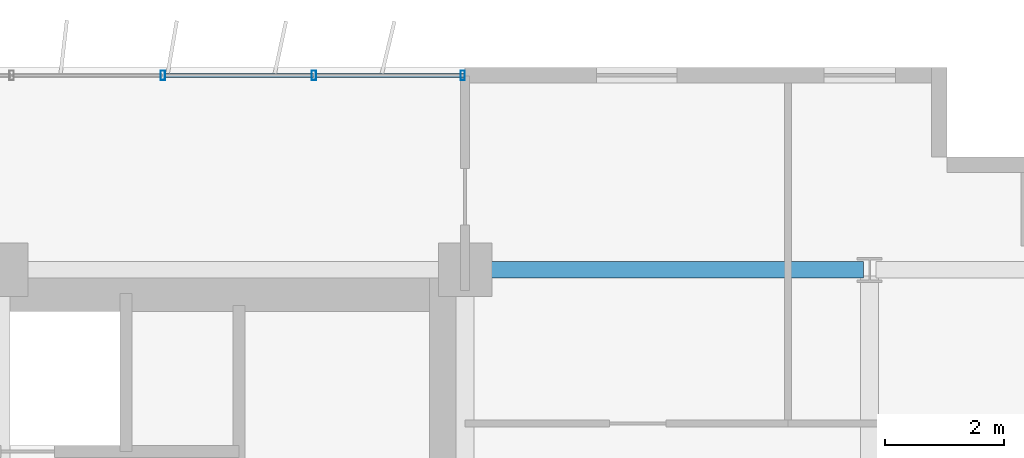
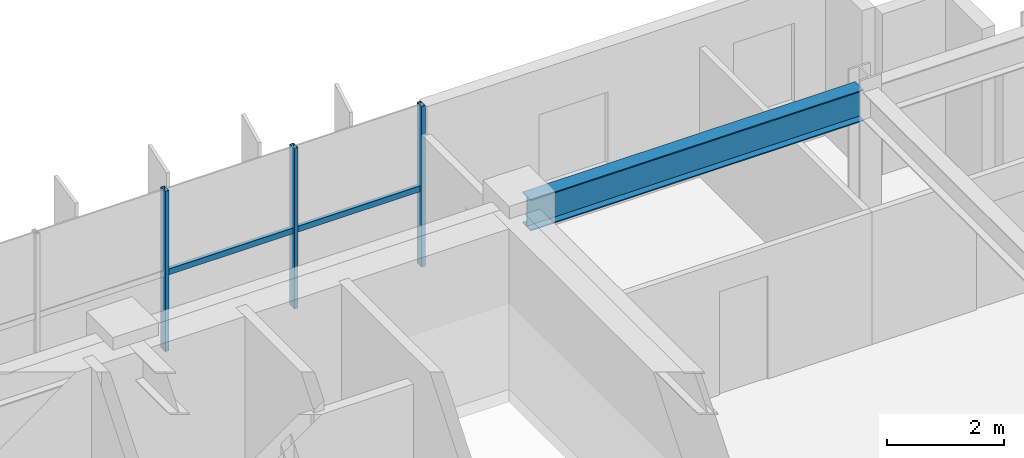
# One storey, part 12 of 22: 5 members, 1 beam, 1 element without a shape of its own.
"""IFC4 building model written with IfcOpenShell, lengths in metres."""

import ifcopenshell
import ifcopenshell.guid

model = None  # the IFC model being written
_history = None  # IfcOwnerHistory: only IFC2X3 demands one
_inside = {}  # id of a spatial element -> (the spatial element, [elements in it])
_under = {}  # id of a project, library or spatial element -> (it, [spatial elements below it])
_declared = {}  # id of a project -> (the project, [libraries it declares])
_typed = {}  # id of a type object -> (the type object, [elements of that type])
_made_of = {}  # id of a material, layer set ... -> (it, [elements and type objects made of it])


def new_model(schema):
    """Start an empty IFC model of exactly this schema.

    Asked for "IFC4X3", IfcOpenShell would pick the latest addendum, in which some entities
    have other attributes; the version numbers below select the first issue.
    IFC2X3 requires an IfcOwnerHistory on every rooted entity: one is made here for all.
    """
    global model, _history
    if schema == "IFC4X3":
        model = ifcopenshell.file(schema_version=(4, 3, 0, 0))
    else:
        model = ifcopenshell.file(schema=schema)
    _inside.clear()
    _under.clear()
    _declared.clear()
    _typed.clear()
    _made_of.clear()
    _history = None
    if model.schema == "IFC2X3":
        org = make("IfcOrganization", Name="unknown")
        user = make(
            "IfcPersonAndOrganization",
            ThePerson=make("IfcPerson", FamilyName="unknown"),
            TheOrganization=org,
        )
        app = make(
            "IfcApplication",
            ApplicationDeveloper=org,
            Version="unknown",
            ApplicationFullName="unknown",
            ApplicationIdentifier="unknown",
        )
        _history = make(
            "IfcOwnerHistory",
            OwningUser=user,
            OwningApplication=app,
            ChangeAction="ADDED",
            CreationDate=0,
        )
    return model


def make(cls, **values):
    """One entity of the class cls with the attributes given. An attribute that is None is left unset."""
    return model.create_entity(
        cls, **{name: value for name, value in values.items() if value is not None}
    )


def rooted(cls, **values):
    """An entity with a GlobalId (a new one), such as an element, a storey or a relation."""
    return make(cls, GlobalId=ifcopenshell.guid.new(), OwnerHistory=_history, **values)


def si_unit(unit_type, name, prefix=None):
    """IfcSIUnit, for example si_unit("LENGTHUNIT", "METRE", prefix="MILLI")."""
    return make("IfcSIUnit", UnitType=unit_type, Prefix=prefix, Name=name)


def assignment(units):
    """IfcUnitAssignment: the units of a project."""
    return None if units is None else make("IfcUnitAssignment", Units=units)


def point(xyz):
    """IfcCartesianPoint."""
    return None if xyz is None else make("IfcCartesianPoint", Coordinates=xyz)


def direction(xyz):
    """IfcDirection."""
    return None if xyz is None else make("IfcDirection", DirectionRatios=xyz)


def frame(location, z_axis=None, x_axis=None):
    """IfcAxis2Placement3D, a coordinate frame: its origin and axes. An axis left out is left unset."""
    return make(
        "IfcAxis2Placement3D",
        Location=point(location),
        Axis=direction(z_axis),
        RefDirection=direction(x_axis),
    )


def frame_2d(location, x_axis=None):
    """IfcAxis2Placement2D, a coordinate frame in the plane: its origin and x axis."""
    return make(
        "IfcAxis2Placement2D", Location=point(location), RefDirection=direction(x_axis)
    )


def origin():
    """The frame at (0, 0, 0) with its axes left unset."""
    return frame((0.0, 0.0, 0.0))


def origin_2d():
    """The frame at (0, 0) in the plane with its x axis left unset."""
    return frame_2d((0.0, 0.0))


def place(relative_to, where):
    """IfcLocalPlacement: puts the frame where relative to a parent placement (None: the world)."""
    return make(
        "IfcLocalPlacement", PlacementRelTo=relative_to, RelativePlacement=where
    )


def context(
    kind, dimensions, precision=None, world=None, true_north=None, identifier=None
):
    """IfcGeometricRepresentationContext, for example the 3D "Model" context."""
    return make(
        "IfcGeometricRepresentationContext",
        ContextIdentifier=identifier,
        ContextType=kind,
        CoordinateSpaceDimension=dimensions,
        Precision=precision,
        WorldCoordinateSystem=world,
        TrueNorth=true_north,
    )


def subcontext(parent, identifier, kind, view, scale=None):
    """IfcGeometricRepresentationSubContext, for example "Body" below "Model"."""
    return make(
        "IfcGeometricRepresentationSubContext",
        ContextIdentifier=identifier,
        ContextType=kind,
        ParentContext=parent,
        TargetScale=scale,
        TargetView=view,
    )


def project(units=None, contexts=None):
    """IfcProject with its units and contexts."""
    return rooted(
        "IfcProject",
        Name="project",
        RepresentationContexts=contexts,
        UnitsInContext=assignment(units),
    )


def spatial(cls, under=None, at=None, **own):
    """A site, building, storey or space (cls), placed at a placement, below another one or the project."""
    s = rooted(cls, ObjectPlacement=at, **own)
    if under is not None:
        _under.setdefault(under.id(), (under, []))[1].append(s)
    return s


def profile(cls, at=None, kind="AREA", **sizes):
    """A parametric profile (cls). Its sizes go by their IFC names, for example OverallWidth=200.0."""
    return make(cls, ProfileType=kind, Position=at, **sizes)


def hollow_rectangle(**sizes):
    """IfcRectangleHollowProfileDef."""
    return profile("IfcRectangleHollowProfileDef", **sizes)


def i_section(**sizes):
    """IfcIShapeProfileDef."""
    return profile("IfcIShapeProfileDef", **sizes)


def extrude(swept, where, along, depth):
    """IfcExtrudedAreaSolid: the profile swept, set in the frame where, extruded along a direction by depth."""
    return make(
        "IfcExtrudedAreaSolid",
        SweptArea=swept,
        Position=where,
        ExtrudedDirection=direction(along),
        Depth=depth,
    )


def shape(context_of_items, identifier, shape_type, items):
    """IfcShapeRepresentation: the items that make up one representation, for example the "Body"."""
    return make(
        "IfcShapeRepresentation",
        ContextOfItems=context_of_items,
        RepresentationIdentifier=identifier,
        RepresentationType=shape_type,
        Items=items,
    )


def source(mapping_origin, context_of_items, identifier, shape_type, items):
    """IfcRepresentationMap: a shape defined once, which mapped items show again and again."""
    return make(
        "IfcRepresentationMap",
        MappingOrigin=mapping_origin,
        MappedRepresentation=shape(context_of_items, identifier, shape_type, items),
    )


def transform(
    local_origin,
    x_axis=None,
    y_axis=None,
    z_axis=None,
    scale=None,
    scale2=None,
    scale3=None,
    uniform=True,
):
    """IfcCartesianTransformationOperator3D, or its non-uniform kind. x_axis, y_axis, z_axis: its Axis1, 2, 3."""
    if uniform:
        return make(
            "IfcCartesianTransformationOperator3D",
            Axis1=direction(x_axis),
            Axis2=direction(y_axis),
            LocalOrigin=point(local_origin),
            Scale=scale,
            Axis3=direction(z_axis),
        )
    return make(
        "IfcCartesianTransformationOperator3DnonUniform",
        Axis1=direction(x_axis),
        Axis2=direction(y_axis),
        LocalOrigin=point(local_origin),
        Scale=scale,
        Axis3=direction(z_axis),
        Scale2=scale2,
        Scale3=scale3,
    )


def mapped(mapping_source, mapping_target):
    """IfcMappedItem: shows the shape of a source again, moved by a transform."""
    return make(
        "IfcMappedItem", MappingSource=mapping_source, MappingTarget=mapping_target
    )


def material(Name=None, Category=None):
    """IfcMaterial."""
    return make("IfcMaterial", Name=Name, Category=Category)


def material_profile(
    of_material, cross_section, Name=None, Category=None, Priority=None
):
    """IfcMaterialProfile: a cross section and its material."""
    return make(
        "IfcMaterialProfile",
        Name=Name,
        Material=of_material,
        Profile=cross_section,
        Priority=Priority,
        Category=Category,
    )


def profile_set(profiles, Name=None, composite=None):
    """IfcMaterialProfileSet."""
    return make(
        "IfcMaterialProfileSet",
        Name=Name,
        MaterialProfiles=profiles,
        CompositeProfile=composite,
    )


def made_of(thing, what):
    """Note that an element or type object is made of a material, layer set ...; save() writes the relation."""
    if what is not None:
        _made_of.setdefault(what.id(), (what, []))[1].append(thing)
    return thing


def type_object(cls, material=None, **own):
    """A type object (cls), such as IfcWallType, which elements share."""
    return made_of(rooted(cls, **own), material)


def element(
    cls,
    number,
    at=None,
    inside=None,
    cuts=None,
    type_object=None,
    material=None,
    context=None,
    identifier="Body",
    shape_type=None,
    held_by="IfcProductDefinitionShape",
    body=None,
    shapes=None,
    **own,
):
    """One element of the class cls, such as IfcWall. Its Tag is "e" and its number.

    at: its placement. inside: the storey or other place that contains it. cuts: it is an
    opening in that element (IfcRelVoidsElement). A single representation is given by context,
    identifier, shape_type and body (its items); several are given by shapes. held_by: the class
    of the entity that holds the representations. save() writes the other relations.
    """
    e = rooted(cls, Tag="e%d" % number, ObjectPlacement=at, **own)
    if body is not None:
        shapes = [shape(context, identifier, shape_type, body)]
    if shapes is not None:
        e.Representation = make(held_by, Representations=shapes)
    if inside is not None:
        _inside.setdefault(inside.id(), (inside, []))[1].append(e)
    if cuts is not None:
        rooted(
            "IfcRelVoidsElement", RelatingBuildingElement=cuts, RelatedOpeningElement=e
        )
    if type_object is not None:
        _typed.setdefault(type_object.id(), (type_object, []))[1].append(e)
    return made_of(e, material)


def aggregate(whole, parts):
    """IfcRelAggregates: a whole, such as a stair, and the parts it consists of."""
    return rooted("IfcRelAggregates", RelatingObject=whole, RelatedObjects=parts)


def save(model, path):
    """Write the relations noted so far, then the file.

    IfcRelAggregates (storeys below a building ...), IfcRelContainedInSpatialStructure (elements
    in a storey), IfcRelDefinesByType, IfcRelAssociatesMaterial and IfcRelDeclares: one each for
    every whole, place, type object, material and project.
    """
    for whole, parts in _under.values():
        aggregate(whole, parts)
    for where, things in _inside.values():
        rooted(
            "IfcRelContainedInSpatialStructure",
            RelatedElements=things,
            RelatingStructure=where,
        )
    for kind, things in _typed.values():
        rooted("IfcRelDefinesByType", RelatedObjects=things, RelatingType=kind)
    for what, things in _made_of.values():
        rooted("IfcRelAssociatesMaterial", RelatedObjects=things, RelatingMaterial=what)
    for by, libraries in _declared.values():
        rooted("IfcRelDeclares", RelatingContext=by, RelatedDefinitions=libraries)
    model.write(path)


model = new_model("IFC4")

# Units and contexts
model_context = context("Model", 3, precision=1e-05, world=origin(), true_north=direction((0.0, 1.0)))
body_context = subcontext(model_context, "Body", "Model", "MODEL_VIEW")
ifc_project = project(units=[si_unit("LENGTHUNIT", "METRE"), si_unit("AREAUNIT", "SQUARE_METRE"), si_unit("VOLUMEUNIT", "CUBIC_METRE"), si_unit("PLANEANGLEUNIT", "RADIAN"), si_unit("MASSUNIT", "GRAM", prefix="KILO")], contexts=[model_context])

# Site, building, storey
site_placement = place(None, origin())
site = spatial("IfcSite", under=ifc_project, at=site_placement, CompositionType="ELEMENT")
building_placement = place(site_placement, origin())
building = spatial("IfcBuilding", under=site, at=building_placement, Name="Trelvane Seafront Commons", CompositionType="ELEMENT")
storey_placement = place(building_placement, frame((0.0, 0.0, 45.10009765625)))
storey = spatial("IfcBuildingStorey", under=building, at=storey_placement, Name="L11", CompositionType="ELEMENT", Elevation=45.10009765625)

# Beam
ifc_material_1 = material(Name="Steel SM355 (S355)", Category="steel")
ifc_material_profile_1 = material_profile(ifc_material_1, i_section(OverallWidth=0.280029296875, OverallDepth=0.64990234375, WebThickness=0.012939453125, FlangeThickness=0.02197265625, at=origin_2d()), Name="H-650x280x13x22")
ifc_profile_set_1 = profile_set([ifc_material_profile_1], Name="Steel SM355 (S355)")
beam_type = type_object("IfcBeamType", Name="STR-BM-H650", PredefinedType="BEAM", material=ifc_profile_set_1)
shared_shape_1 = source(origin(), body_context, "Body", "SweptSolid", [
    extrude(i_section(OverallWidth=0.280029296875, OverallDepth=0.64990234375, WebThickness=0.012939453125, FlangeThickness=0.02197265625, at=origin_2d()), origin(), (0.0, 0.0, 1.0), 6.545166015625),
])
beam_placement = place(storey_placement, frame((58.949951171875, 45.10009765625, 3.014892578125), z_axis=(1.0, 0.0, 0.0), x_axis=(0.0, 1.0, 0.0)))
element("IfcBeam", 1, at=beam_placement, inside=storey, type_object=beam_type, Name="L11 Primary Girder G-35", PredefinedType="BEAM", context=body_context, shape_type="MappedRepresentation", body=[
    mapped(shared_shape_1, transform((0.0, 0.0, 0.0), x_axis=(1.0, 0.0, 0.0), y_axis=(0.0, 1.0, 0.0), z_axis=(0.0, 0.0, 1.0), scale=1.0)),
])

# Curtain wall, members
ifc_material_2 = material(Name="Anodised pale-silver aluminium", Category="aluminium")
curtain_wall_type = type_object("IfcCurtainWallType", Name="ARCH-CW2-LOWTOWER", PredefinedType="NOTDEFINED", material=ifc_material_2)
curtain_wall_placement = place(storey_placement, origin())
curtain_wall = element("IfcCurtainWall", 2, at=curtain_wall_placement, inside=storey, type_object=curtain_wall_type, Name="CW-L11-0035", PredefinedType="NOTDEFINED")
ifc_material_profile_2 = material_profile(ifc_material_2, hollow_rectangle(XDim=0.070068359375, YDim=0.1201171875, WallThickness=0.00390625, at=origin_2d()), Name="TRAN-70x120x4")
ifc_profile_set_2 = profile_set([ifc_material_profile_2], Name="Anodised pale-silver aluminium")
member_type_1 = type_object("IfcMemberType", Name="ARCH-CW-TRAN-120", PredefinedType="USERDEFINED", material=ifc_profile_set_2)
shared_shape_2 = source(origin(), body_context, "Body", "SweptSolid", [
    extrude(hollow_rectangle(XDim=0.070068359375, YDim=0.1201171875, WallThickness=0.00390625, at=origin_2d()), origin(), (0.0, 0.0, 1.0), 2.517333984375),
])
member_1_placement = place(storey_placement, frame((53.7294921875, 48.3701171875, 1.602783203125), z_axis=(1.0, 0.0, 0.0), x_axis=(0.0, 1.0, 0.0)))
member_1 = element("IfcMember", 3, at=member_1_placement, type_object=member_type_1, Name="CW-L11-0035-T15", ObjectType="TRANSOM", PredefinedType="USERDEFINED", context=body_context, shape_type="MappedRepresentation", body=[
    mapped(shared_shape_2, transform((0.0, 0.0, 0.0), x_axis=(1.0, 0.0, 0.0), y_axis=(0.0, 1.0, 0.0), z_axis=(0.0, 0.0, 1.0), scale=1.0)),
])
member_2_placement = place(storey_placement, frame((56.270751953125, 48.3701171875, 1.602783203125), z_axis=(1.0, 0.0, 0.0), x_axis=(0.0, 1.0, 0.0)))
member_2 = element("IfcMember", 4, at=member_2_placement, type_object=member_type_1, Name="CW-L11-0035-T16", ObjectType="TRANSOM", PredefinedType="USERDEFINED", context=body_context, shape_type="MappedRepresentation", body=[
    mapped(shared_shape_2, transform((0.0, 0.0, 0.0), x_axis=(1.0, 0.0, 0.0), y_axis=(0.0, 1.0, 0.0), z_axis=(0.0, 0.0, 1.0), scale=1.0)),
])
ifc_material_profile_3 = material_profile(ifc_material_2, hollow_rectangle(XDim=0.074951171875, YDim=0.159912109375, WallThickness=0.00390625, at=origin_2d()), Name="MULL-75x160x4")
ifc_profile_set_3 = profile_set([ifc_material_profile_3], Name="Anodised pale-silver aluminium")
member_type_2 = type_object("IfcMemberType", Name="ARCH-CW-MULL-160", PredefinedType="MULLION", material=ifc_profile_set_3)
shared_shape_3 = source(origin(), body_context, "Body", "SweptSolid", [
    extrude(hollow_rectangle(XDim=0.074951171875, YDim=0.159912109375, WallThickness=0.00390625, at=origin_2d()), origin(), (0.0, 0.0, 1.0), 3.33984375),
])
member_3_placement = place(storey_placement, frame((53.717529296875, 48.3701171875, 0.0), z_axis=(0.0, 0.0, 1.0), x_axis=(1.0, 0.0, 0.0)))
member_3 = element("IfcMember", 5, at=member_3_placement, type_object=member_type_2, Name="CW-L11-0035-M15", PredefinedType="MULLION", context=body_context, shape_type="MappedRepresentation", body=[
    mapped(shared_shape_3, transform((0.0, 0.0, 0.0), x_axis=(1.0, 0.0, 0.0), y_axis=(0.0, 1.0, 0.0), z_axis=(0.0, 0.0, 1.0), scale=1.0)),
])
member_4_placement = place(storey_placement, frame((56.2587890625, 48.3701171875, 0.0), z_axis=(0.0, 0.0, 1.0), x_axis=(1.0, 0.0, 0.0)))
member_4 = element("IfcMember", 6, at=member_4_placement, type_object=member_type_2, Name="CW-L11-0035-M16", PredefinedType="MULLION", context=body_context, shape_type="MappedRepresentation", body=[
    mapped(shared_shape_3, transform((0.0, 0.0, 0.0), x_axis=(1.0, 0.0, 0.0), y_axis=(0.0, 1.0, 0.0), z_axis=(0.0, 0.0, 1.0), scale=1.0)),
])
member_5_placement = place(storey_placement, frame((58.760009765625, 48.3701171875, 0.0), z_axis=(0.0, 0.0, 1.0), x_axis=(1.0, 0.0, 0.0)))
member_5 = element("IfcMember", 7, at=member_5_placement, type_object=member_type_2, Name="CW-L11-0035-M17", PredefinedType="MULLION", context=body_context, shape_type="MappedRepresentation", body=[
    mapped(shared_shape_3, transform((0.0, 0.0, 0.0), x_axis=(1.0, 0.0, 0.0), y_axis=(0.0, 1.0, 0.0), z_axis=(0.0, 0.0, 1.0), scale=1.0)),
])
aggregate(curtain_wall, [member_3, member_4, member_5, member_1, member_2])

save(model, "model.ifc")
